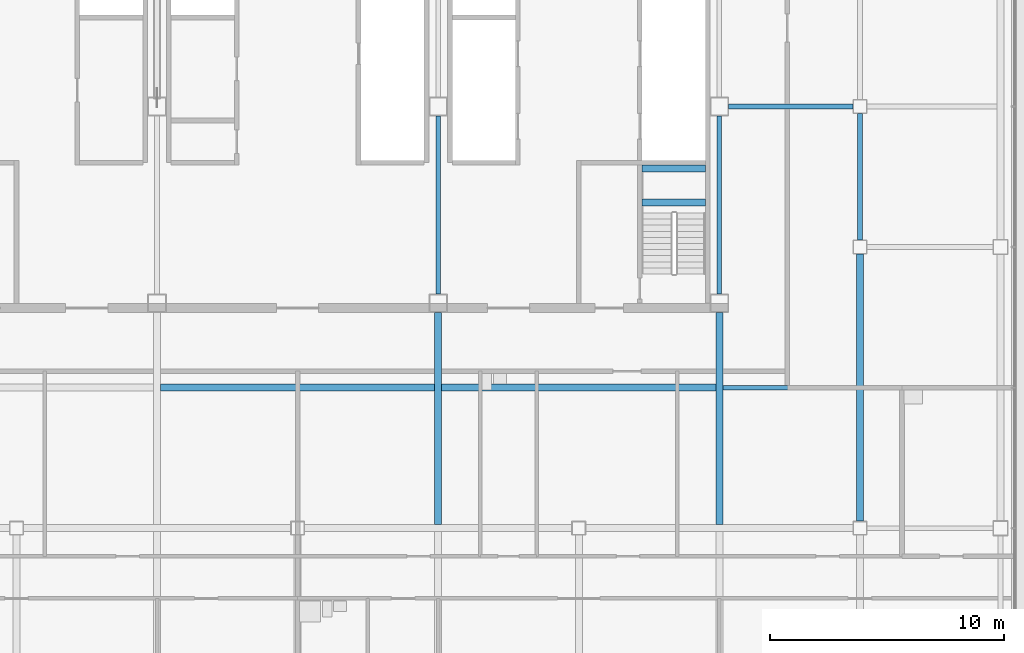
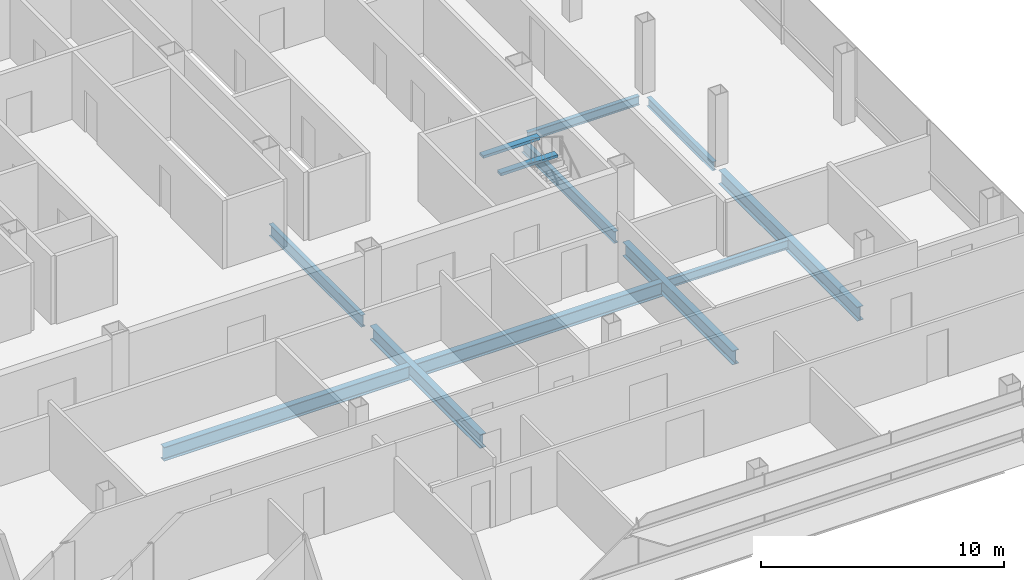
# One storey, part 10 of 26: 12 beams.
"""IFC4 building model written with IfcOpenShell, lengths in metres."""

from ifc_helpers import new_model, si_unit, direction, frame, origin, origin_2d, place, context, subcontext, project, spatial, rectangle, i_section, extrude, material, material_profile, profile_set, type_object, element, save


model = new_model("IFC4")

# Units and contexts
model_context = context("Model", 3, precision=1e-05, world=origin(), true_north=direction((0.0, 1.0)))
body_context = subcontext(model_context, "Body", "Model", "MODEL_VIEW")
ifc_project = project(units=[si_unit("LENGTHUNIT", "METRE"), si_unit("AREAUNIT", "SQUARE_METRE"), si_unit("VOLUMEUNIT", "CUBIC_METRE"), si_unit("PLANEANGLEUNIT", "RADIAN"), si_unit("MASSUNIT", "GRAM", prefix="KILO")], contexts=[model_context])

# Site, building, storey
site_placement = place(None, origin())
site = spatial("IfcSite", under=ifc_project, at=site_placement, CompositionType="ELEMENT")
building_placement = place(site_placement, origin())
building = spatial("IfcBuilding", under=site, at=building_placement, Name="Sorahane Residences", CompositionType="ELEMENT")
storey_placement = place(building_placement, frame((0.0, 0.0, 222.60009765625)))
storey = spatial("IfcBuildingStorey", under=building, at=storey_placement, Name="L52", CompositionType="ELEMENT", Elevation=222.60009765625)

# Beams
ifc_material_1 = material(Name="Concrete C40", Category="concrete")
ifc_material_profile_1 = material_profile(ifc_material_1, rectangle(XDim=0.300048828125, YDim=0.139892578125, at=origin_2d()), Name="300x140")
ifc_profile_set_1 = profile_set([ifc_material_profile_1], Name="Concrete C40")
beam_type_1 = type_object("IfcBeamType", Name="RC landing beam 300 x 140 Concrete C40", PredefinedType="BEAM", material=ifc_profile_set_1)
for number, where, z_axis, x_axis, name in (
    (1, (38.699951171875, 25.89990234375, 1.52978515625), (1.0, 0.0, 0.0), (0.0, 1.0, 0.0), "Landing beam"),
    (2, (38.699951171875, 27.35009765625, 1.52978515625), (1.0, 0.0, 0.0), (0.0, 1.0, 0.0), "Landing beam"),
):
    element("IfcBeam", number, at=place(storey_placement, frame(where, z_axis=z_axis, x_axis=x_axis)), inside=storey, type_object=beam_type_1, Name=name, PredefinedType="BEAM", context=body_context, shape_type="SweptSolid", body=[
        extrude(rectangle(XDim=0.300048828125, YDim=0.139892578125, at=origin_2d()), origin(), (0.0, 0.0, 1.0), 2.699951171875),
    ])
ifc_material_2 = material(Name="Steel Q355B", Category="steel")
ifc_material_profile_2 = material_profile(ifc_material_2, i_section(OverallWidth=0.199951171875, OverallDepth=0.449951171875, WebThickness=0.009033203125, FlangeThickness=0.013916015625, FilletRadius=0.02001953125, at=origin_2d()), Name="HN 450x200x9x14")
ifc_profile_set_2 = profile_set([ifc_material_profile_2], Name="Steel Q355B")
beam_type_2 = type_object("IfcBeamType", Name="Steel floor beam HN 450x200x9x14 Q355B", PredefinedType="BEAM", material=ifc_profile_set_2)
beam_1_placement = place(storey_placement, frame((48.0, 24.300048828125, -0.405029296875), z_axis=(0.0, 1.0, 0.0), x_axis=(-1.0, 0.0, 0.0)))
element("IfcBeam", 3, at=beam_1_placement, inside=storey, type_object=beam_type_2, Name="Beam L52 060", PredefinedType="BEAM", context=body_context, shape_type="SweptSolid", body=[
    extrude(i_section(OverallWidth=0.199951171875, OverallDepth=0.449951171875, WebThickness=0.009033203125, FlangeThickness=0.013916015625, FilletRadius=0.02001953125, at=origin_2d()), origin(), (0.0, 0.0, 1.0), 5.39990234375),
])
beam_2_placement = place(storey_placement, frame((42.14990234375, 18.0, -0.405029296875), z_axis=(1.0, 0.0, 0.0), x_axis=(0.0, 1.0, 0.0)))
element("IfcBeam", 4, at=beam_2_placement, inside=storey, type_object=beam_type_2, Name="Beam L52 083", PredefinedType="BEAM", context=body_context, shape_type="SweptSolid", body=[
    extrude(i_section(OverallWidth=0.199951171875, OverallDepth=0.449951171875, WebThickness=0.009033203125, FlangeThickness=0.013916015625, FilletRadius=0.02001953125, at=origin_2d()), origin(), (0.0, 0.0, 1.0), 5.7001953125),
])
beam_3_placement = place(storey_placement, frame((42.39990234375, 30.0, -0.405029296875), z_axis=(1.0, 0.0, 0.0), x_axis=(0.0, 1.0, 0.0)))
element("IfcBeam", 5, at=beam_3_placement, inside=storey, type_object=beam_type_2, Name="Beam L52 087", PredefinedType="BEAM", context=body_context, shape_type="SweptSolid", body=[
    extrude(i_section(OverallWidth=0.199951171875, OverallDepth=0.449951171875, WebThickness=0.009033203125, FlangeThickness=0.013916015625, FilletRadius=0.02001953125, at=origin_2d()), origin(), (0.0, 0.0, 1.0), 5.300048828125),
])
ifc_material_3 = material(Name="Steel Q355B", Category="steel")
ifc_material_profile_3 = material_profile(ifc_material_3, i_section(OverallWidth=0.199951171875, OverallDepth=0.60009765625, WebThickness=0.010986328125, FlangeThickness=0.01708984375, FilletRadius=0.02392578125, at=origin_2d()), Name="HN 600x200x11x17")
ifc_profile_set_3 = profile_set([ifc_material_profile_3], Name="Steel Q355B")
beam_type_3 = type_object("IfcBeamType", Name="Steel floor beam HN 600x200x11x17 Q355B", PredefinedType="BEAM", material=ifc_profile_set_3)
for number, where, z_axis, x_axis, name in (
    (6, (30.0, 22.0, -0.47998046875), (0.0, 1.0, 0.0), (-1.0, 0.0, 0.0), "Beam L52 046"),
    (7, (42.0, 22.0, -0.47998046875), (0.0, 1.0, 0.0), (-1.0, 0.0, 0.0), "Beam L52 054"),
):
    element("IfcBeam", number, at=place(storey_placement, frame(where, z_axis=z_axis, x_axis=x_axis)), inside=storey, type_object=beam_type_3, Name=name, PredefinedType="BEAM", context=body_context, shape_type="SweptSolid", body=[
        extrude(i_section(OverallWidth=0.199951171875, OverallDepth=0.60009765625, WebThickness=0.010986328125, FlangeThickness=0.01708984375, FilletRadius=0.02392578125, at=origin_2d()), origin(), (0.0, 0.0, 1.0), 7.60009765625),
    ])
ifc_material_4 = material(Name="Steel Q355B", Category="steel")
ifc_material_profile_4 = material_profile(ifc_material_4, i_section(OverallWidth=0.300048828125, OverallDepth=0.699951171875, WebThickness=0.012939453125, FlangeThickness=0.02392578125, FilletRadius=0.028076171875, at=origin_2d()), Name="HN 700x300x13x24")
ifc_profile_set_4 = profile_set([ifc_material_profile_4], Name="Steel Q355B")
beam_type_4 = type_object("IfcBeamType", Name="Steel floor beam HN 700x300x13x24 Q355B", PredefinedType="BEAM", material=ifc_profile_set_4)
for number, where, z_axis, x_axis, name in (
    (8, (30.0, 12.14990234375, -0.530029296875), (0.0, 1.0, 0.0), (-1.0, 0.0, 0.0), "Beam L52 045"),
    (9, (42.0, 12.14990234375, -0.530029296875), (0.0, 1.0, 0.0), (-1.0, 0.0, 0.0), "Beam L52 053"),
):
    element("IfcBeam", number, at=place(storey_placement, frame(where, z_axis=z_axis, x_axis=x_axis)), inside=storey, type_object=beam_type_4, Name=name, PredefinedType="BEAM", context=body_context, shape_type="SweptSolid", body=[
        extrude(i_section(OverallWidth=0.300048828125, OverallDepth=0.699951171875, WebThickness=0.012939453125, FlangeThickness=0.02392578125, FilletRadius=0.028076171875, at=origin_2d()), origin(), (0.0, 0.0, 1.0), 9.050048828125),
    ])
beam_4_placement = place(storey_placement, frame((48.0, 12.300048828125, -0.530029296875), z_axis=(0.0, 1.0, 0.0), x_axis=(-1.0, 0.0, 0.0)))
element("IfcBeam", 10, at=beam_4_placement, inside=storey, type_object=beam_type_4, Name="Beam L52 059", PredefinedType="BEAM", context=body_context, shape_type="SweptSolid", body=[
    extrude(i_section(OverallWidth=0.300048828125, OverallDepth=0.699951171875, WebThickness=0.012939453125, FlangeThickness=0.02392578125, FilletRadius=0.028076171875, at=origin_2d()), origin(), (0.0, 0.0, 1.0), 11.39990234375),
])
for number, where, z_axis, x_axis, name in (
    (11, (18.14990234375, 18.0, -0.530029296875), (1.0, 0.0, 0.0), (0.0, 1.0, 0.0), "Beam L52 081"),
    (12, (30.14990234375, 18.0, -0.530029296875), (1.0, 0.0, 0.0), (0.0, 1.0, 0.0), "Beam L52 082"),
):
    element("IfcBeam", number, at=place(storey_placement, frame(where, z_axis=z_axis, x_axis=x_axis)), inside=storey, type_object=beam_type_4, Name=name, PredefinedType="BEAM", context=body_context, shape_type="SweptSolid", body=[
        extrude(i_section(OverallWidth=0.300048828125, OverallDepth=0.699951171875, WebThickness=0.012939453125, FlangeThickness=0.02392578125, FilletRadius=0.028076171875, at=origin_2d()), origin(), (0.0, 0.0, 1.0), 11.7001953125),
    ])

save(model, "model.ifc")
